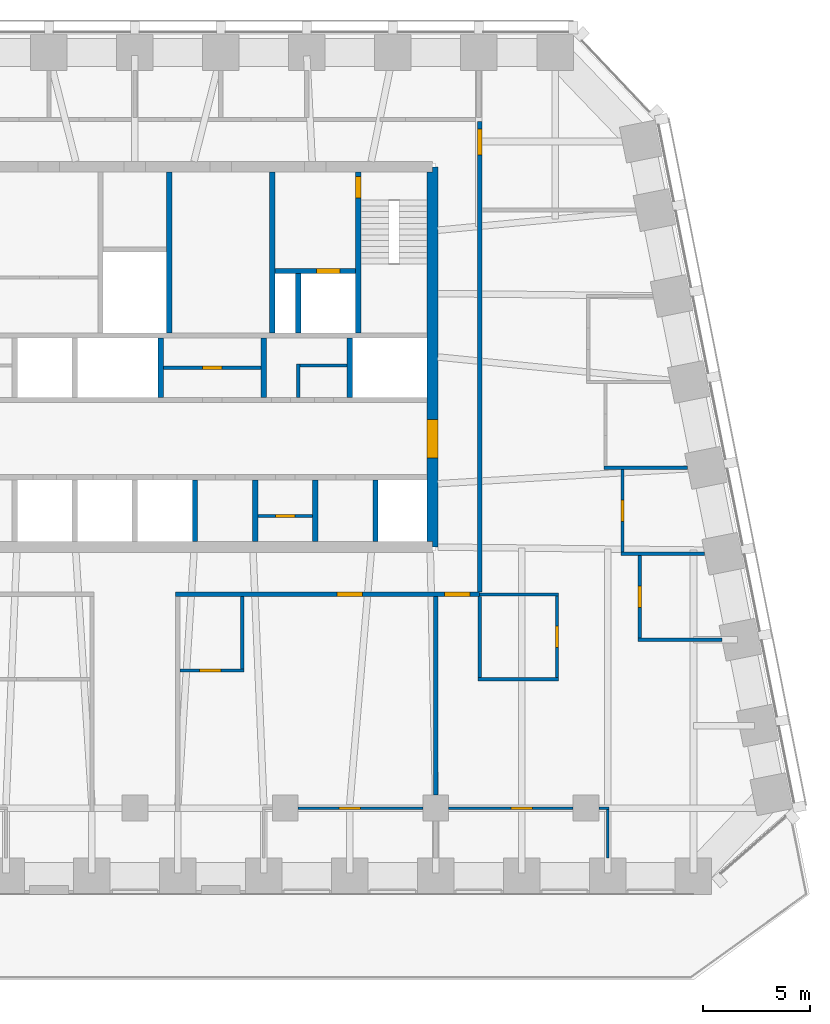
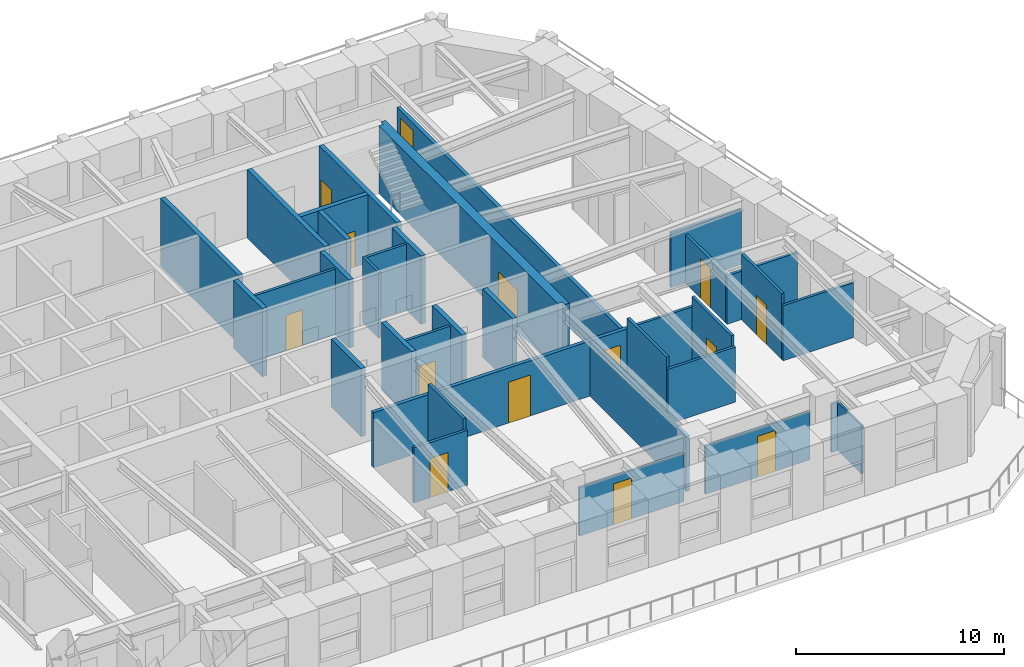
# One storey, part 7 of 11: 35 walls, 14 doors, 14 openings.
"""IFC4 building model written with IfcOpenShell, lengths in metres."""

from ifc_helpers import new_model, si_unit, direction, frame, frame_2d, origin, place, context, subcontext, project, spatial, polyline, rectangle, outline, extrude, material, layer, layer_set, type_object, element, fill, save


model = new_model("IFC4")

# Units and contexts
model_context = context("Model", 3, precision=1e-05, world=origin(), true_north=direction((0.0, 1.0)))
body_context = subcontext(model_context, "Body", "Model", "MODEL_VIEW")
ifc_project = project(units=[si_unit("LENGTHUNIT", "METRE"), si_unit("AREAUNIT", "SQUARE_METRE"), si_unit("VOLUMEUNIT", "CUBIC_METRE"), si_unit("PLANEANGLEUNIT", "RADIAN"), si_unit("MASSUNIT", "GRAM", prefix="KILO")], contexts=[model_context])

# Site, building, storey
site_placement = place(None, origin())
site = spatial("IfcSite", under=ifc_project, at=site_placement, CompositionType="ELEMENT")
building_placement = place(site_placement, origin())
building = spatial("IfcBuilding", under=site, at=building_placement, Name="Isbrekke Arena Tower", CompositionType="ELEMENT")
storey_placement = place(building_placement, frame((0.0, 0.0, 272.0)))
storey = spatial("IfcBuildingStorey", under=building, at=storey_placement, Name="L63", CompositionType="ELEMENT", Elevation=272.0)

# Wall, opening, door
ifc_material_1 = material(Name="Concrete B55 (C55/67)", Category="concrete")
ifc_layer_1 = layer(ifc_material_1, 0.5)
ifc_layer_set_1 = layer_set([ifc_layer_1], Name="CW5 CORE WALL 500")
wall_type_1 = type_object("IfcWallType", Name="CW5 CORE WALL 500", PredefinedType="SHEAR", material=ifc_layer_set_1)
wall_1_placement = place(storey_placement, frame((13.85009765625, 6.14990234375, 0.0), z_axis=(0.0, 0.0, 1.0), x_axis=(0.0, 1.0, 0.0)))
wall_1 = element("IfcWall", 1, at=wall_1_placement, inside=storey, type_object=wall_type_1, Name="Core wall E L63", PredefinedType="SHEAR", context=body_context, shape_type="SweptSolid", body=[
    extrude(outline(polyline([(0.0, -0.25), (17.7001953125, -0.25), (17.7001953125, 0.0), (17.4501953125, 0.0), (17.4501953125, 0.25), (0.25, 0.25), (0.25, 0.0), (0.0, 0.0), (0.0, -0.25)])), origin(), (0.0, 0.0, 1.0), 4.0),
])
opening_1_placement = place(wall_1_placement, frame((4.14990234375, 0.0, 0.0)))
opening_1 = element("IfcOpeningElement", 2, at=opening_1_placement, cuts=wall_1, Name="Opening D1", PredefinedType="OPENING", context=body_context, shape_type="SweptSolid", body=[
    extrude(rectangle(XDim=1.800048828125, YDim=2.39990234375, at=frame_2d((0.89990234375, 1.199951171875))), frame((0.0, 0.264892578125, 0.0), z_axis=(0.0, -1.0, 0.0), x_axis=(1.0, 0.0, 0.0)), (0.0, 0.0, 1.0), 0.52978515625),
])
ifc_material_2 = material(Name="Steel-framed glazed fire door", Category="steel")
door_type_1 = type_object("IfcDoorType", Name="D1 CORE LOBBY DOOR 1800 x 2400", OperationType="DOUBLE_DOOR_SINGLE_SWING", PredefinedType="DOOR", material=ifc_material_2)
door_1_placement = place(opening_1_placement, origin())
door_1 = element("IfcDoor", 3, at=door_1_placement, inside=storey, type_object=door_type_1, Name="D1 lift lobby door east L63", OperationType="DOUBLE_DOOR_SINGLE_SWING", OverallHeight=2.39990234375, OverallWidth=1.800048828125, PredefinedType="DOOR", context=body_context, shape_type="SweptSolid", body=[
    extrude(rectangle(XDim=1.800048828125, YDim=2.39990234375, at=frame_2d((0.89990234375, 1.199951171875))), frame((0.0, 0.249755859375, 0.0), z_axis=(0.0, -1.0, 0.0), x_axis=(1.0, 0.0, 0.0)), (0.0, 0.0, 1.0), 0.49951171875),
])
fill(opening_1, door_1)

# Walls
ifc_material_3 = material(Name="Concrete B45 (C45/55)", Category="concrete")
ifc_layer_2 = layer(ifc_material_3, 0.25)
ifc_layer_set_2 = layer_set([ifc_layer_2], Name="CW6 SHAFT WALL 250")
wall_type_2 = type_object("IfcWallType", Name="CW6 SHAFT WALL 250", PredefinedType="SHEAR", material=ifc_layer_set_2)
for number, where, z_axis, x_axis, name in (
    (4, (2.800048828125, 6.39990234375, 0.0), (0.0, 0.0, 1.0), (0.0, 1.0, 0.0), "Core wall SS06 L63"),
    (5, (5.60009765625, 6.39990234375, 0.0), (0.0, 0.0, 1.0), (0.0, 1.0, 0.0), "Core wall SS07 L63"),
    (6, (8.39990234375, 6.39990234375, 0.0), (0.0, 0.0, 1.0), (0.0, 1.0, 0.0), "Core wall SS08 L63"),
    (7, (11.199951171875, 6.39990234375, 0.0), (0.0, 0.0, 1.0), (0.0, 1.0, 0.0), "Core wall SS09 L63"),
):
    element("IfcWall", number, at=place(storey_placement, frame(where, z_axis=z_axis, x_axis=x_axis)), inside=storey, type_object=wall_type_2, Name=name, PredefinedType="SHEAR", context=body_context, shape_type="SweptSolid", body=[
        extrude(rectangle(XDim=2.875, YDim=0.25, at=frame_2d((1.4375, 0.0))), origin(), (0.0, 0.0, 1.0), 4.0),
    ])
for number, where, z_axis, x_axis, name in (
    (8, (1.199951171875, 13.125, 0.0), (0.0, 0.0, 1.0), (0.0, 1.0, 0.0), "Core wall SN05 L63"),
    (9, (6.0, 13.125, 0.0), (0.0, 0.0, 1.0), (0.0, 1.0, 0.0), "Core wall SN06 L63"),
    (10, (10.0, 13.125, 0.0), (0.0, 0.0, 1.0), (0.0, 1.0, 0.0), "Core wall SN07 L63"),
):
    element("IfcWall", number, at=place(storey_placement, frame(where, z_axis=z_axis, x_axis=x_axis)), inside=storey, type_object=wall_type_2, Name=name, PredefinedType="SHEAR", context=body_context, shape_type="SweptSolid", body=[
        extrude(rectangle(XDim=2.75, YDim=0.25, at=frame_2d((1.375, 0.0))), origin(), (0.0, 0.0, 1.0), 4.0),
    ])
for number, where, z_axis, x_axis, name in (
    (11, (1.60009765625, 16.125, 0.0), (0.0, 0.0, 1.0), (0.0, 1.0, 0.0), "Core wall NV04 L63"),
    (12, (6.39990234375, 16.125, 0.0), (0.0, 0.0, 1.0), (0.0, 1.0, 0.0), "Core wall NV05 L63"),
):
    element("IfcWall", number, at=place(storey_placement, frame(where, z_axis=z_axis, x_axis=x_axis)), inside=storey, type_object=wall_type_2, Name=name, PredefinedType="SHEAR", context=body_context, shape_type="SweptSolid", body=[
        extrude(rectangle(XDim=7.47509765625, YDim=0.25, at=frame_2d((3.737548828125, 0.0))), origin(), (0.0, 0.0, 1.0), 4.0),
    ])

# Wall, opening, door
wall_2_placement = place(storey_placement, frame((10.39990234375, 16.125, 0.0), z_axis=(0.0, 0.0, 1.0), x_axis=(0.0, 1.0, 0.0)))
wall_2 = element("IfcWall", 13, at=wall_2_placement, inside=storey, type_object=wall_type_2, Name="Core wall NV06 L63", PredefinedType="SHEAR", context=body_context, shape_type="SweptSolid", body=[
    extrude(rectangle(XDim=7.47509765625, YDim=0.25, at=frame_2d((3.737548828125, 0.0))), origin(), (0.0, 0.0, 1.0), 4.0),
])
opening_2_placement = place(wall_2_placement, frame((6.27490234375, 0.0, 0.0)))
opening_2 = element("IfcOpeningElement", 14, at=opening_2_placement, cuts=wall_2, Name="Opening D2", PredefinedType="OPENING", context=body_context, shape_type="SweptSolid", body=[
    extrude(rectangle(XDim=1.0, YDim=2.10009765625, at=frame_2d((0.5, 1.050048828125))), frame((0.0, 0.139892578125, 0.0), z_axis=(0.0, -1.0, 0.0), x_axis=(1.0, 0.0, 0.0)), (0.0, 0.0, 1.0), 0.27978515625),
])
ifc_material_4 = material(Name="Steel fire door", Category="steel")
door_type_2 = type_object("IfcDoorType", Name="D2 STAIR DOOR 1000 x 2100", OperationType="SINGLE_SWING_LEFT", PredefinedType="DOOR", material=ifc_material_4)
door_2_placement = place(opening_2_placement, origin())
door_2 = element("IfcDoor", 15, at=door_2_placement, inside=storey, type_object=door_type_2, Name="D2 stair door ST2 L63", OperationType="SINGLE_SWING_LEFT", OverallHeight=2.10009765625, OverallWidth=1.0, PredefinedType="DOOR", context=body_context, shape_type="SweptSolid", body=[
    extrude(rectangle(XDim=1.0, YDim=2.10009765625, at=frame_2d((0.5, 1.050048828125))), frame((0.0, 0.124755859375, 0.0), z_axis=(0.0, -1.0, 0.0), x_axis=(1.0, 0.0, 0.0)), (0.0, 0.0, 1.0), 0.24951171875),
])
fill(opening_2, door_2)

wall_3_placement = place(storey_placement, frame((6.52490234375, 19.0, 0.0), z_axis=(0.0, 0.0, 1.0), x_axis=(1.0, 0.0, 0.0)))
wall_3 = element("IfcWall", 16, at=wall_3_placement, inside=storey, type_object=wall_type_2, Name="Core wall NFE L63", PredefinedType="SHEAR", context=body_context, shape_type="SweptSolid", body=[
    extrude(rectangle(XDim=3.75, YDim=0.25, at=frame_2d((1.875, 0.0))), origin(), (0.0, 0.0, 1.0), 4.0),
])
opening_3_placement = place(wall_3_placement, frame((1.925048828125, 0.0, 0.0)))
opening_3 = element("IfcOpeningElement", 17, at=opening_3_placement, cuts=wall_3, Name="Opening LD2", PredefinedType="OPENING", context=body_context, shape_type="SweptSolid", body=[
    extrude(rectangle(XDim=1.10009765625, YDim=2.10009765625, at=frame_2d((0.550048828125, 1.050048828125))), frame((0.0, 0.139892578125, 0.0), z_axis=(0.0, -1.0, 0.0), x_axis=(1.0, 0.0, 0.0)), (0.0, 0.0, 1.0), 0.27978515625),
])
ifc_material_5 = material(Name="Stainless steel lift landing door", Category="steel")
door_type_3 = type_object("IfcDoorType", Name="LD2 FIRE-FIGHTING LIFT LANDING DOOR 1100 x 2100", OperationType="SLIDING_TO_RIGHT", PredefinedType="DOOR", material=ifc_material_5)
door_3_placement = place(opening_3_placement, origin())
door_3 = element("IfcDoor", 18, at=door_3_placement, inside=storey, type_object=door_type_3, Name="LD2 lift landing door LF L63", OperationType="SLIDING_TO_RIGHT", OverallHeight=2.10009765625, OverallWidth=1.10009765625, PredefinedType="DOOR", context=body_context, shape_type="SweptSolid", body=[
    extrude(rectangle(XDim=1.10009765625, YDim=2.10009765625, at=frame_2d((0.550048828125, 1.050048828125))), frame((0.0, 0.124755859375, 0.0), z_axis=(0.0, -1.0, 0.0), x_axis=(1.0, 0.0, 0.0)), (0.0, 0.0, 1.0), 0.24951171875),
])
fill(opening_3, door_3)

# Walls
wall_4_placement = place(storey_placement, frame((7.60009765625, 16.125, 0.0), z_axis=(0.0, 0.0, 1.0), x_axis=(0.0, 1.0, 0.0)))
element("IfcWall", 19, at=wall_4_placement, inside=storey, type_object=wall_type_2, Name="Core wall NFS2 L63", PredefinedType="SHEAR", context=body_context, shape_type="SweptSolid", body=[
    extrude(rectangle(XDim=2.75, YDim=0.25, at=frame_2d((1.375, 0.0))), origin(), (0.0, 0.0, 1.0), 4.0),
])
ifc_material_6 = material(Name="Gypsum board partition on steel studs", Category="steel")
ifc_layer_3 = layer(ifc_material_6, 0.14990234375)
ifc_layer_set_3 = layer_set([ifc_layer_3], Name="IW1 PARTITION 150")
wall_type_3 = type_object("IfcWallType", Name="IW1 PARTITION 150", PredefinedType="PARTITIONING", material=ifc_layer_set_3)
wall_5_placement = place(storey_placement, frame((15.97509765625, 0.0, 0.0), z_axis=(0.0, 0.0, 1.0), x_axis=(1.0, 0.0, 0.0)))
element("IfcWall", 20, at=wall_5_placement, inside=storey, type_object=wall_type_3, Name="IW1 partition 150 L63", PredefinedType="PARTITIONING", context=body_context, shape_type="SweptSolid", body=[
    extrude(rectangle(XDim=3.75, YDim=0.14990234375, at=frame_2d((1.875, 0.0))), origin(), (0.0, 0.0, 1.0), 3.22998046875),
])

# Wall, opening, door
wall_6_placement = place(storey_placement, frame((2.10009765625, 0.39990234375, 0.0), z_axis=(0.0, 0.0, 1.0), x_axis=(1.0, 0.0, 0.0)))
wall_6 = element("IfcWall", 21, at=wall_6_placement, inside=storey, type_object=wall_type_3, Name="IW1 partition 150 L63", PredefinedType="PARTITIONING", context=body_context, shape_type="SweptSolid", body=[
    extrude(rectangle(XDim=2.974853515625, YDim=0.14990234375, at=frame_2d((1.4873046875, 0.0))), origin(), (0.0, 0.0, 1.0), 3.22998046875),
])
opening_4_placement = place(wall_6_placement, frame((0.89990234375, 0.0, 0.0)))
opening_4 = element("IfcOpeningElement", 22, at=opening_4_placement, cuts=wall_6, Name="Opening D10", PredefinedType="OPENING", context=body_context, shape_type="SweptSolid", body=[
    extrude(rectangle(XDim=1.0, YDim=2.300048828125, at=frame_2d((0.5, 1.14990234375))), frame((0.0, 0.08984375, 0.0), z_axis=(0.0, -1.0, 0.0), x_axis=(1.0, 0.0, 0.0)), (0.0, 0.0, 1.0), 0.1796875),
])
ifc_material_7 = material(Name="Timber door", Category="wood")
door_type_4 = type_object("IfcDoorType", Name="D10 OFFICE DOOR 1000 x 2300", OperationType="SINGLE_SWING_LEFT", PredefinedType="DOOR", material=ifc_material_7)
door_4_placement = place(opening_4_placement, origin())
door_4 = element("IfcDoor", 23, at=door_4_placement, inside=storey, type_object=door_type_4, Name="D10 cloakroom door L63", OperationType="SINGLE_SWING_LEFT", OverallHeight=2.300048828125, OverallWidth=1.0, PredefinedType="DOOR", context=body_context, shape_type="SweptSolid", body=[
    extrude(rectangle(XDim=1.0, YDim=2.300048828125, at=frame_2d((0.5, 1.14990234375))), frame((0.0, 0.07470703125, 0.0), z_axis=(0.0, -1.0, 0.0), x_axis=(1.0, 0.0, 0.0)), (0.0, 0.0, 1.0), 0.1494140625),
])
fill(opening_4, door_4)

# Walls
wall_7_placement = place(storey_placement, frame((23.425048828125, 1.840087890625, 0.0), z_axis=(0.0, 0.0, 1.0), x_axis=(1.0, 0.0, 0.0)))
element("IfcWall", 24, at=wall_7_placement, inside=storey, type_object=wall_type_3, Name="IW1 partition 150 L63", PredefinedType="PARTITIONING", context=body_context, shape_type="SweptSolid", body=[
    extrude(rectangle(XDim=3.898681640625, YDim=0.14990234375, at=frame_2d((1.94921875, 0.0))), origin(), (0.0, 0.0, 1.0), 3.22998046875),
])
wall_8_placement = place(storey_placement, frame((16.050048828125, 3.949951171875, 0.0), z_axis=(0.0, 0.0, 1.0), x_axis=(1.0, 0.0, 0.0)))
element("IfcWall", 25, at=wall_8_placement, inside=storey, type_object=wall_type_3, Name="IW1 partition 150 L63", PredefinedType="PARTITIONING", context=body_context, shape_type="SweptSolid", body=[
    extrude(rectangle(XDim=3.675048828125, YDim=0.14990234375, at=frame_2d((1.83740234375, 0.0))), origin(), (0.0, 0.0, 1.0), 3.22998046875),
])
wall_9_placement = place(storey_placement, frame((22.625, 5.840087890625, 0.0), z_axis=(0.0, 0.0, 1.0), x_axis=(1.0, 0.0, 0.0)))
element("IfcWall", 26, at=wall_9_placement, inside=storey, type_object=wall_type_3, Name="IW1 partition 150 L63", PredefinedType="PARTITIONING", context=body_context, shape_type="SweptSolid", body=[
    extrude(rectangle(XDim=3.898681640625, YDim=0.14990234375, at=frame_2d((1.94921875, 0.0))), origin(), (0.0, 0.0, 1.0), 2.842041015625),
])
wall_10_placement = place(storey_placement, frame((21.824951171875, 9.840087890625, 0.0), z_axis=(0.0, 0.0, 1.0), x_axis=(1.0, 0.0, 0.0)))
element("IfcWall", 27, at=wall_10_placement, inside=storey, type_object=wall_type_3, Name="IW1 partition 150 L63", PredefinedType="PARTITIONING", context=body_context, shape_type="SweptSolid", body=[
    extrude(rectangle(XDim=3.89892578125, YDim=0.14990234375, at=frame_2d((1.949462890625, 0.0))), origin(), (0.0, 0.0, 1.0), 3.22998046875),
])
wall_11_placement = place(storey_placement, frame((5.0, 0.47509765625, 0.0), z_axis=(0.0, 0.0, 1.0), x_axis=(0.0, 1.0, 0.0)))
element("IfcWall", 28, at=wall_11_placement, inside=storey, type_object=wall_type_3, Name="IW1 partition 150 L63", PredefinedType="PARTITIONING", context=body_context, shape_type="SweptSolid", body=[
    extrude(rectangle(XDim=3.375, YDim=0.14990234375, at=frame_2d((1.6875, 0.0))), origin(), (0.0, 0.0, 1.0), 3.85009765625),
])
wall_12_placement = place(storey_placement, frame((16.050048828125, 0.074951171875, 0.0), z_axis=(0.0, 0.0, 1.0), x_axis=(0.0, 1.0, 0.0)))
element("IfcWall", 29, at=wall_12_placement, inside=storey, type_object=wall_type_3, Name="IW1 partition 150 L63", PredefinedType="PARTITIONING", context=body_context, shape_type="SweptSolid", body=[
    extrude(rectangle(XDim=3.775146484375, YDim=0.14990234375, at=frame_2d((1.8876953125, 0.0))), origin(), (0.0, 0.0, 1.0), 3.85009765625),
])

# Wall, opening, door
wall_13_placement = place(storey_placement, frame((19.64990234375, 0.074951171875, 0.0), z_axis=(0.0, 0.0, 1.0), x_axis=(0.0, 1.0, 0.0)))
wall_13 = element("IfcWall", 30, at=wall_13_placement, inside=storey, type_object=wall_type_3, Name="IW1 partition 150 L63", PredefinedType="PARTITIONING", context=body_context, shape_type="SweptSolid", body=[
    extrude(rectangle(XDim=3.800048828125, YDim=0.14990234375, at=frame_2d((1.89990234375, 0.0))), origin(), (0.0, 0.0, 1.0), 3.85009765625),
])
opening_5_placement = place(wall_13_placement, frame((1.39990234375, 0.0, 0.0)))
opening_5 = element("IfcOpeningElement", 31, at=opening_5_placement, cuts=wall_13, Name="Opening D10", PredefinedType="OPENING", context=body_context, shape_type="SweptSolid", body=[
    extrude(rectangle(XDim=1.0, YDim=2.300048828125, at=frame_2d((0.5, 1.14990234375))), frame((0.0, 0.08984375, 0.0), z_axis=(0.0, -1.0, 0.0), x_axis=(1.0, 0.0, 0.0)), (0.0, 0.0, 1.0), 0.1796875),
])
door_5_placement = place(opening_5_placement, origin())
door_5 = element("IfcDoor", 32, at=door_5_placement, inside=storey, type_object=door_type_4, Name="D10 print room door L63", OperationType="SINGLE_SWING_LEFT", OverallHeight=2.300048828125, OverallWidth=1.0, PredefinedType="DOOR", context=body_context, shape_type="SweptSolid", body=[
    extrude(rectangle(XDim=1.0, YDim=2.300048828125, at=frame_2d((0.5, 1.14990234375))), frame((0.0, 0.07470703125, 0.0), z_axis=(0.0, -1.0, 0.0), x_axis=(1.0, 0.0, 0.0)), (0.0, 0.0, 1.0), 0.1494140625),
])
fill(opening_5, door_5)

wall_14_placement = place(storey_placement, frame((22.699951171875, 5.9150390625, 0.0), z_axis=(0.0, 0.0, 1.0), x_axis=(0.0, 1.0, 0.0)))
wall_14 = element("IfcWall", 33, at=wall_14_placement, inside=storey, type_object=wall_type_3, Name="IW1 partition 150 L63", PredefinedType="PARTITIONING", context=body_context, shape_type="SweptSolid", body=[
    extrude(rectangle(XDim=3.849853515625, YDim=0.14990234375, at=frame_2d((1.9248046875, 0.0))), origin(), (0.0, 0.0, 1.0), 2.842041015625),
])
opening_6_placement = place(wall_14_placement, frame((1.425048828125, 0.0, 0.0)))
opening_6 = element("IfcOpeningElement", 34, at=opening_6_placement, cuts=wall_14, Name="Opening D10", PredefinedType="OPENING", context=body_context, shape_type="SweptSolid", body=[
    extrude(rectangle(XDim=1.0, YDim=2.300048828125, at=frame_2d((0.5, 1.14990234375))), frame((0.0, 0.08984375, 0.0), z_axis=(0.0, -1.0, 0.0), x_axis=(1.0, 0.0, 0.0)), (0.0, 0.0, 1.0), 0.1796875),
])
door_6_placement = place(opening_6_placement, origin())
door_6 = element("IfcDoor", 35, at=door_6_placement, inside=storey, type_object=door_type_4, Name="D10 office door L63", OperationType="SINGLE_SWING_LEFT", OverallHeight=2.300048828125, OverallWidth=1.0, PredefinedType="DOOR", context=body_context, shape_type="SweptSolid", body=[
    extrude(rectangle(XDim=1.0, YDim=2.300048828125, at=frame_2d((0.5, 1.14990234375))), frame((0.0, 0.07470703125, 0.0), z_axis=(0.0, -1.0, 0.0), x_axis=(1.0, 0.0, 0.0)), (0.0, 0.0, 1.0), 0.1494140625),
])
fill(opening_6, door_6)

wall_15_placement = place(storey_placement, frame((23.5, 1.9150390625, 0.0), z_axis=(0.0, 0.0, 1.0), x_axis=(0.0, 1.0, 0.0)))
wall_15 = element("IfcWall", 36, at=wall_15_placement, inside=storey, type_object=wall_type_3, Name="IW1 partition 150 L63", PredefinedType="PARTITIONING", context=body_context, shape_type="SweptSolid", body=[
    extrude(rectangle(XDim=3.849853515625, YDim=0.14990234375, at=frame_2d((1.9248046875, 0.0))), origin(), (0.0, 0.0, 1.0), 3.85009765625),
])
opening_7_placement = place(wall_15_placement, frame((1.425048828125, 0.0, 0.0)))
opening_7 = element("IfcOpeningElement", 37, at=opening_7_placement, cuts=wall_15, Name="Opening D10", PredefinedType="OPENING", context=body_context, shape_type="SweptSolid", body=[
    extrude(rectangle(XDim=1.0, YDim=2.300048828125, at=frame_2d((0.5, 1.14990234375))), frame((0.0, 0.08984375, 0.0), z_axis=(0.0, -1.0, 0.0), x_axis=(1.0, 0.0, 0.0)), (0.0, 0.0, 1.0), 0.1796875),
])
door_7_placement = place(opening_7_placement, origin())
door_7 = element("IfcDoor", 38, at=door_7_placement, inside=storey, type_object=door_type_4, Name="D10 office door L63", OperationType="SINGLE_SWING_LEFT", OverallHeight=2.300048828125, OverallWidth=1.0, PredefinedType="DOOR", context=body_context, shape_type="SweptSolid", body=[
    extrude(rectangle(XDim=1.0, YDim=2.300048828125, at=frame_2d((0.5, 1.14990234375))), frame((0.0, 0.07470703125, 0.0), z_axis=(0.0, -1.0, 0.0), x_axis=(1.0, 0.0, 0.0)), (0.0, 0.0, 1.0), 0.1494140625),
])
fill(opening_7, door_7)

ifc_material_8 = material(Name="Frameless glazed partition, laminated acoustic glass", Category="glass")
ifc_layer_4 = layer(ifc_material_8, 0.1201171875)
ifc_layer_set_4 = layer_set([ifc_layer_4], Name="IW2 GLAZED PARTITION 120")
wall_type_4 = type_object("IfcWallType", Name="IW2 GLAZED PARTITION 120", PredefinedType="PARTITIONING", material=ifc_layer_set_4)
wall_16_placement = place(storey_placement, frame((7.60009765625, -6.0, 0.0), z_axis=(0.0, 0.0, 1.0), x_axis=(1.0, 0.0, 0.0)))
wall_16 = element("IfcWall", 39, at=wall_16_placement, inside=storey, type_object=wall_type_4, Name="IW2 glazed partition 120 L63", PredefinedType="PARTITIONING", context=body_context, shape_type="SweptSolid", body=[
    extrude(rectangle(XDim=5.7998046875, YDim=0.1201171875, at=frame_2d((2.89990234375, 0.0))), origin(), (0.0, 0.0, 1.0), 2.842041015625),
])
opening_8_placement = place(wall_16_placement, frame((1.89990234375, 0.0, 0.0)))
opening_8 = element("IfcOpeningElement", 40, at=opening_8_placement, cuts=wall_16, Name="Opening D11", PredefinedType="OPENING", context=body_context, shape_type="SweptSolid", body=[
    extrude(rectangle(XDim=1.0, YDim=2.39990234375, at=frame_2d((0.5, 1.199951171875))), frame((0.0, 0.074951171875, 0.0), z_axis=(0.0, -1.0, 0.0), x_axis=(1.0, 0.0, 0.0)), (0.0, 0.0, 1.0), 0.14990234375),
])
ifc_material_9 = material(Name="Frameless glazed door", Category="glass")
door_type_5 = type_object("IfcDoorType", Name="D11 GLAZED MEETING ROOM DOOR 1000 x 2400", OperationType="SINGLE_SWING_RIGHT", PredefinedType="DOOR", material=ifc_material_9)
door_8_placement = place(opening_8_placement, origin())
door_8 = element("IfcDoor", 41, at=door_8_placement, inside=storey, type_object=door_type_5, Name="D11 client meeting room door L63", OperationType="SINGLE_SWING_RIGHT", OverallHeight=2.39990234375, OverallWidth=1.0, PredefinedType="DOOR", context=body_context, shape_type="SweptSolid", body=[
    extrude(rectangle(XDim=1.0, YDim=2.39990234375, at=frame_2d((0.5, 1.199951171875))), frame((0.0, 0.059814453125, 0.0), z_axis=(0.0, -1.0, 0.0), x_axis=(1.0, 0.0, 0.0)), (0.0, 0.0, 1.0), 0.11962890625),
])
fill(opening_8, door_8)

wall_17_placement = place(storey_placement, frame((14.60009765625, -6.0, 0.0), z_axis=(0.0, 0.0, 1.0), x_axis=(1.0, 0.0, 0.0)))
wall_17 = element("IfcWall", 42, at=wall_17_placement, inside=storey, type_object=wall_type_4, Name="IW2 glazed partition 120 L63", PredefinedType="PARTITIONING", context=body_context, shape_type="SweptSolid", body=[
    extrude(rectangle(XDim=5.7998046875, YDim=0.1201171875, at=frame_2d((2.89990234375, 0.0))), origin(), (0.0, 0.0, 1.0), 2.842041015625),
])
opening_9_placement = place(wall_17_placement, frame((2.89990234375, 0.0, 0.0)))
opening_9 = element("IfcOpeningElement", 43, at=opening_9_placement, cuts=wall_17, Name="Opening D11", PredefinedType="OPENING", context=body_context, shape_type="SweptSolid", body=[
    extrude(rectangle(XDim=1.0, YDim=2.39990234375, at=frame_2d((0.5, 1.199951171875))), frame((0.0, 0.074951171875, 0.0), z_axis=(0.0, -1.0, 0.0), x_axis=(1.0, 0.0, 0.0)), (0.0, 0.0, 1.0), 0.14990234375),
])
door_9_placement = place(opening_9_placement, origin())
door_9 = element("IfcDoor", 44, at=door_9_placement, inside=storey, type_object=door_type_5, Name="D11 meeting room door L63", OperationType="SINGLE_SWING_RIGHT", OverallHeight=2.39990234375, OverallWidth=1.0, PredefinedType="DOOR", context=body_context, shape_type="SweptSolid", body=[
    extrude(rectangle(XDim=1.0, YDim=2.39990234375, at=frame_2d((0.5, 1.199951171875))), frame((0.0, 0.059814453125, 0.0), z_axis=(0.0, -1.0, 0.0), x_axis=(1.0, 0.0, 0.0)), (0.0, 0.0, 1.0), 0.11962890625),
])
fill(opening_9, door_9)

# Walls
wall_18_placement = place(storey_placement, frame((21.60009765625, -6.0, 0.0), z_axis=(0.0, 0.0, 1.0), x_axis=(1.0, 0.0, 0.0)))
element("IfcWall", 45, at=wall_18_placement, inside=storey, type_object=wall_type_4, Name="IW2 glazed partition 120 L63", PredefinedType="PARTITIONING", context=body_context, shape_type="SweptSolid", body=[
    extrude(rectangle(XDim=0.4599609375, YDim=0.1201171875, at=frame_2d((0.22998046875, 0.0))), origin(), (0.0, 0.0, 1.0), 2.842041015625),
])
wall_19_placement = place(storey_placement, frame((22.0, -8.324951171875, 0.0), z_axis=(0.0, 0.0, 1.0), x_axis=(0.0, 1.0, 0.0)))
element("IfcWall", 46, at=wall_19_placement, inside=storey, type_object=wall_type_4, Name="IW2 glazed partition 120 L63", PredefinedType="PARTITIONING", context=body_context, shape_type="SweptSolid", body=[
    extrude(rectangle(XDim=2.264892578125, YDim=0.1201171875, at=frame_2d((1.13232421875, 0.0))), origin(), (0.0, 0.0, 1.0), 2.842041015625),
])

# Wall, openings, doors
ifc_material_10 = material(Name="Gypsum board fire-cell wall on steel studs, two layers each side", Category="steel")
ifc_layer_5 = layer(ifc_material_10, 0.199951171875)
ifc_layer_set_5 = layer_set([ifc_layer_5], Name="IW3 FIRE-CELL WALL 200")
wall_type_5 = type_object("IfcWallType", Name="IW3 FIRE-CELL WALL 200", PredefinedType="PARTITIONING", material=ifc_layer_set_5)
wall_20_placement = place(storey_placement, frame((1.89990234375, 3.949951171875, 0.0), z_axis=(0.0, 0.0, 1.0), x_axis=(1.0, 0.0, 0.0)))
wall_20 = element("IfcWall", 47, at=wall_20_placement, inside=storey, type_object=wall_type_5, Name="IW3 fire-cell wall 200 L63", PredefinedType="PARTITIONING", context=body_context, shape_type="SweptSolid", body=[
    extrude(rectangle(XDim=14.150146484375, YDim=0.199951171875, at=frame_2d((7.0751953125, 0.0))), origin(), (0.0, 0.0, 1.0), 3.22998046875),
])
opening_10_placement = place(wall_20_placement, frame((7.5, 0.0, 0.0)))
opening_10 = element("IfcOpeningElement", 48, at=opening_10_placement, cuts=wall_20, Name="Opening D12", PredefinedType="OPENING", context=body_context, shape_type="SweptSolid", body=[
    extrude(rectangle(XDim=1.199951171875, YDim=2.39990234375, at=frame_2d((0.60009765625, 1.199951171875))), frame((0.0, 0.11474609375, 0.0), z_axis=(0.0, -1.0, 0.0), x_axis=(1.0, 0.0, 0.0)), (0.0, 0.0, 1.0), 0.229736328125),
])
opening_11_placement = place(wall_20_placement, frame((12.5, 0.0, 0.0)))
opening_11 = element("IfcOpeningElement", 49, at=opening_11_placement, cuts=wall_20, Name="Opening D12", PredefinedType="OPENING", context=body_context, shape_type="SweptSolid", body=[
    extrude(rectangle(XDim=1.199951171875, YDim=2.39990234375, at=frame_2d((0.60009765625, 1.199951171875))), frame((0.0, 0.11474609375, 0.0), z_axis=(0.0, -1.0, 0.0), x_axis=(1.0, 0.0, 0.0)), (0.0, 0.0, 1.0), 0.229736328125),
])
ifc_material_11 = material(Name="Timber fire door with vision panel", Category="wood")
door_type_6 = type_object("IfcDoorType", Name="D12 SUITE ENTRANCE DOOR 1200 x 2400", OperationType="SINGLE_SWING_LEFT", PredefinedType="DOOR", material=ifc_material_11)
door_10_placement = place(opening_10_placement, origin())
door_10 = element("IfcDoor", 50, at=door_10_placement, inside=storey, type_object=door_type_6, Name="D12 suite entrance C door L63", OperationType="SINGLE_SWING_LEFT", OverallHeight=2.39990234375, OverallWidth=1.199951171875, PredefinedType="DOOR", context=body_context, shape_type="SweptSolid", body=[
    extrude(rectangle(XDim=1.199951171875, YDim=2.39990234375, at=frame_2d((0.60009765625, 1.199951171875))), frame((0.0, 0.099609375, 0.0), z_axis=(0.0, -1.0, 0.0), x_axis=(1.0, 0.0, 0.0)), (0.0, 0.0, 1.0), 0.199462890625),
])
fill(opening_10, door_10)
door_11_placement = place(opening_11_placement, origin())
door_11 = element("IfcDoor", 51, at=door_11_placement, inside=storey, type_object=door_type_6, Name="D12 suite entrance E door L63", OperationType="SINGLE_SWING_LEFT", OverallHeight=2.39990234375, OverallWidth=1.199951171875, PredefinedType="DOOR", context=body_context, shape_type="SweptSolid", body=[
    extrude(rectangle(XDim=1.199951171875, YDim=2.39990234375, at=frame_2d((0.60009765625, 1.199951171875))), frame((0.0, 0.099609375, 0.0), z_axis=(0.0, -1.0, 0.0), x_axis=(1.0, 0.0, 0.0)), (0.0, 0.0, 1.0), 0.199462890625),
])
fill(opening_11, door_11)

# Wall
wall_21_placement = place(storey_placement, frame((14.0, -5.39990234375, 0.0), z_axis=(0.0, 0.0, 1.0), x_axis=(0.0, 1.0, 0.0)))
element("IfcWall", 52, at=wall_21_placement, inside=storey, type_object=wall_type_5, Name="IW3 fire-cell wall 200 L63", PredefinedType="PARTITIONING", context=body_context, shape_type="SweptSolid", body=[
    extrude(rectangle(XDim=9.25, YDim=0.199951171875, at=frame_2d((4.625, 0.0))), origin(), (0.0, 0.0, 1.0), 3.22998046875),
])

# Wall, opening, door
wall_22_placement = place(storey_placement, frame((16.050048828125, 4.050048828125, 0.0), z_axis=(0.0, 0.0, 1.0), x_axis=(0.0, 1.0, 0.0)))
wall_22 = element("IfcWall", 53, at=wall_22_placement, inside=storey, type_object=wall_type_5, Name="IW3 fire-cell wall 200 L63", PredefinedType="PARTITIONING", context=body_context, shape_type="SweptSolid", body=[
    extrude(rectangle(XDim=21.89990234375, YDim=0.199951171875, at=frame_2d((10.949951171875, 0.0))), origin(), (0.0, 0.0, 1.0), 2.842041015625),
])
opening_12_placement = place(wall_22_placement, frame((20.35009765625, 0.0, 0.0)))
opening_12 = element("IfcOpeningElement", 54, at=opening_12_placement, cuts=wall_22, Name="Opening D12", PredefinedType="OPENING", context=body_context, shape_type="SweptSolid", body=[
    extrude(rectangle(XDim=1.199951171875, YDim=2.39990234375, at=frame_2d((0.60009765625, 1.199951171875))), frame((0.0, 0.11474609375, 0.0), z_axis=(0.0, -1.0, 0.0), x_axis=(1.0, 0.0, 0.0)), (0.0, 0.0, 1.0), 0.229736328125),
])
door_12_placement = place(opening_12_placement, origin())
door_12 = element("IfcDoor", 55, at=door_12_placement, inside=storey, type_object=door_type_6, Name="D12 suite entrance NCE door L63", OperationType="SINGLE_SWING_LEFT", OverallHeight=2.39990234375, OverallWidth=1.199951171875, PredefinedType="DOOR", context=body_context, shape_type="SweptSolid", body=[
    extrude(rectangle(XDim=1.199951171875, YDim=2.39990234375, at=frame_2d((0.60009765625, 1.199951171875))), frame((0.0, 0.099609375, 0.0), z_axis=(0.0, -1.0, 0.0), x_axis=(1.0, 0.0, 0.0)), (0.0, 0.0, 1.0), 0.199462890625),
])
fill(opening_12, door_12)

ifc_material_12 = material(Name="Gypsum board fire-rated partition on steel studs, two layers each side", Category="steel")
ifc_layer_6 = layer(ifc_material_12, 0.14990234375)
ifc_layer_set_6 = layer_set([ifc_layer_6], Name="IW5 FIRE-RATED PARTITION 150")
wall_type_6 = type_object("IfcWallType", Name="IW5 FIRE-RATED PARTITION 150", PredefinedType="PARTITIONING", material=ifc_layer_set_6)
wall_23_placement = place(storey_placement, frame((1.324951171875, 14.5, 0.0), z_axis=(0.0, 0.0, 1.0), x_axis=(1.0, 0.0, 0.0)))
wall_23 = element("IfcWall", 56, at=wall_23_placement, inside=storey, type_object=wall_type_6, Name="IW5 fire-rated partition L63 core service rooms 1", PredefinedType="PARTITIONING", context=body_context, shape_type="SweptSolid", body=[
    extrude(rectangle(XDim=4.550048828125, YDim=0.14990234375, at=frame_2d((2.27490234375, 0.0))), origin(), (0.0, 0.0, 1.0), 3.85009765625),
])
opening_13_placement = place(wall_23_placement, frame((1.824951171875, 0.0, 0.0)))
opening_13 = element("IfcOpeningElement", 57, at=opening_13_placement, cuts=wall_23, Name="Opening D5", PredefinedType="OPENING", context=body_context, shape_type="SweptSolid", body=[
    extrude(rectangle(XDim=0.89990234375, YDim=2.10009765625, at=frame_2d((0.449951171875, 1.050048828125))), frame((0.0, 0.08984375, 0.0), z_axis=(0.0, -1.0, 0.0), x_axis=(1.0, 0.0, 0.0)), (0.0, 0.0, 1.0), 0.1796875),
])
ifc_material_13 = material(Name="Steel fire door", Category="steel")
door_type_7 = type_object("IfcDoorType", Name="D5 SERVICE DOOR 900 x 2100", OperationType="SINGLE_SWING_LEFT", PredefinedType="DOOR", material=ifc_material_13)
door_13_placement = place(opening_13_placement, origin())
door_13 = element("IfcDoor", 58, at=door_13_placement, inside=storey, type_object=door_type_7, Name="D5 archive door L63", OperationType="SINGLE_SWING_LEFT", OverallHeight=2.10009765625, OverallWidth=0.89990234375, PredefinedType="DOOR", context=body_context, shape_type="SweptSolid", body=[
    extrude(rectangle(XDim=0.89990234375, YDim=2.10009765625, at=frame_2d((0.449951171875, 1.050048828125))), frame((0.0, 0.07470703125, 0.0), z_axis=(0.0, -1.0, 0.0), x_axis=(1.0, 0.0, 0.0)), (0.0, 0.0, 1.0), 0.1494140625),
])
fill(opening_13, door_13)

# Walls
wall_24_placement = place(storey_placement, frame((7.60009765625, 13.125, 0.0), z_axis=(0.0, 0.0, 1.0), x_axis=(0.0, 1.0, 0.0)))
element("IfcWall", 59, at=wall_24_placement, inside=storey, type_object=wall_type_6, Name="IW5 fire-rated partition L63 core service rooms 2", PredefinedType="PARTITIONING", context=body_context, shape_type="SweptSolid", body=[
    extrude(rectangle(XDim=1.550048828125, YDim=0.14990234375, at=frame_2d((0.77490234375, 0.0))), origin(), (0.0, 0.0, 1.0), 3.85009765625),
])
wall_25_placement = place(storey_placement, frame((7.675048828125, 14.60009765625, 0.0), z_axis=(0.0, 0.0, 1.0), x_axis=(1.0, 0.0, 0.0)))
element("IfcWall", 60, at=wall_25_placement, inside=storey, type_object=wall_type_6, Name="IW5 fire-rated partition L63 core service rooms 3", PredefinedType="PARTITIONING", context=body_context, shape_type="SweptSolid", body=[
    extrude(rectangle(XDim=2.199951171875, YDim=0.14990234375, at=frame_2d((1.10009765625, 0.0))), origin(), (0.0, 0.0, 1.0), 3.85009765625),
])

# Wall, opening, door
wall_26_placement = place(storey_placement, frame((5.72509765625, 7.60009765625, 0.0), z_axis=(0.0, 0.0, 1.0), x_axis=(1.0, 0.0, 0.0)))
wall_26 = element("IfcWall", 61, at=wall_26_placement, inside=storey, type_object=wall_type_6, Name="IW5 fire-rated partition L63 core service rooms 7", PredefinedType="PARTITIONING", context=body_context, shape_type="SweptSolid", body=[
    extrude(rectangle(XDim=2.5498046875, YDim=0.14990234375, at=frame_2d((1.27490234375, 0.0))), origin(), (0.0, 0.0, 1.0), 3.85009765625),
])
opening_14_placement = place(wall_26_placement, frame((0.824951171875, 0.0, 0.0)))
opening_14 = element("IfcOpeningElement", 62, at=opening_14_placement, cuts=wall_26, Name="Opening D5", PredefinedType="OPENING", context=body_context, shape_type="SweptSolid", body=[
    extrude(rectangle(XDim=0.89990234375, YDim=2.10009765625, at=frame_2d((0.449951171875, 1.050048828125))), frame((0.0, 0.08984375, 0.0), z_axis=(0.0, -1.0, 0.0), x_axis=(1.0, 0.0, 0.0)), (0.0, 0.0, 1.0), 0.1796875),
])
door_14_placement = place(opening_14_placement, origin())
door_14 = element("IfcDoor", 63, at=door_14_placement, inside=storey, type_object=door_type_7, Name="D5 store door L63", OperationType="SINGLE_SWING_LEFT", OverallHeight=2.10009765625, OverallWidth=0.89990234375, PredefinedType="DOOR", context=body_context, shape_type="SweptSolid", body=[
    extrude(rectangle(XDim=0.89990234375, YDim=2.10009765625, at=frame_2d((0.449951171875, 1.050048828125))), frame((0.0, 0.07470703125, 0.0), z_axis=(0.0, -1.0, 0.0), x_axis=(1.0, 0.0, 0.0)), (0.0, 0.0, 1.0), 0.1494140625),
])
fill(opening_14, door_14)

save(model, "model.ifc")
